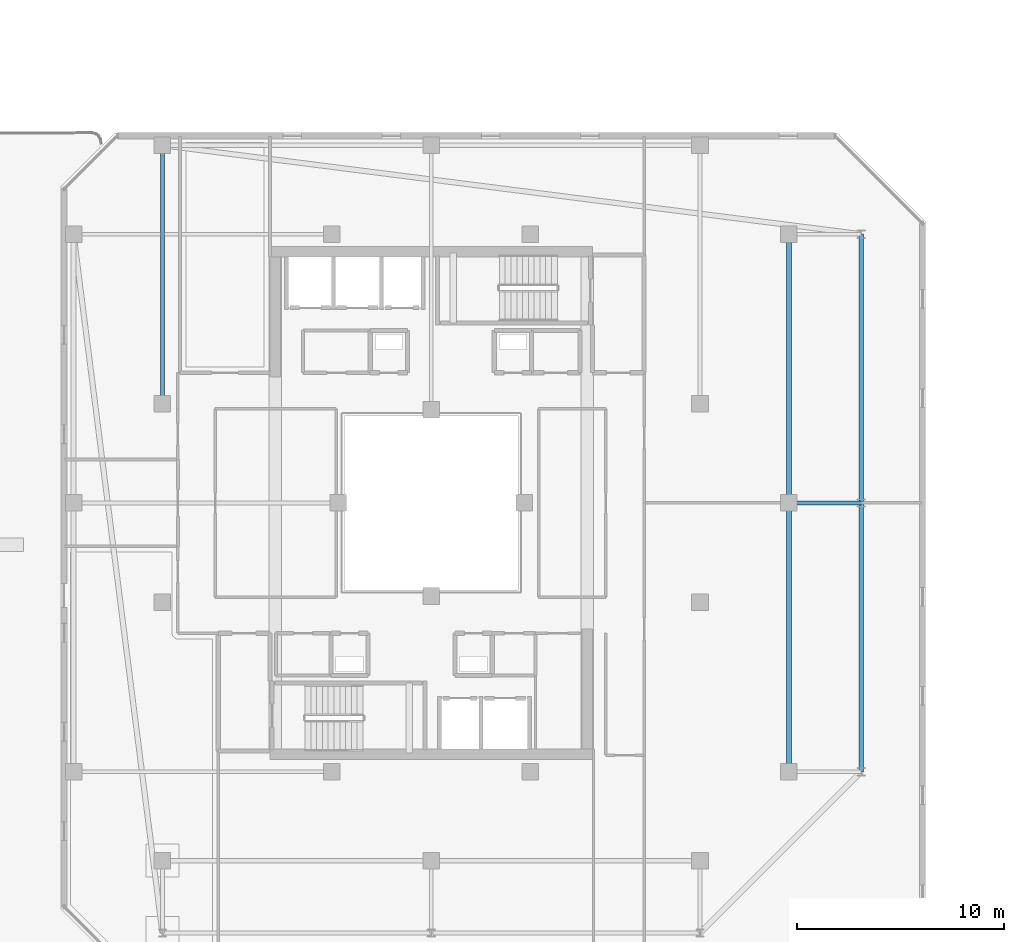
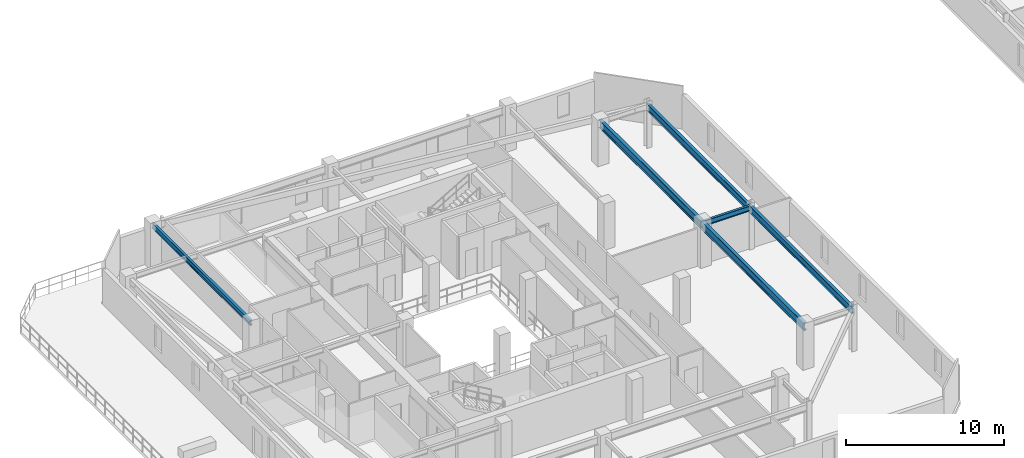
# One storey, part 6 of 31: 6 beams.
"""IFC4 building model written with IfcOpenShell, lengths in metres."""

from ifc_helpers import new_model, si_unit, direction, frame, origin, origin_2d, place, context, subcontext, project, spatial, i_section, extrude, material, material_profile, profile_set, type_object, element, save


model = new_model("IFC4")

# Units and contexts
model_context = context("Model", 3, precision=1e-05, world=origin(), true_north=direction((0.0, 1.0)))
body_context = subcontext(model_context, "Body", "Model", "MODEL_VIEW")
ifc_project = project(units=[si_unit("LENGTHUNIT", "METRE"), si_unit("AREAUNIT", "SQUARE_METRE"), si_unit("VOLUMEUNIT", "CUBIC_METRE"), si_unit("PLANEANGLEUNIT", "RADIAN"), si_unit("MASSUNIT", "GRAM", prefix="KILO")], contexts=[model_context])

# Site, building, storey
site_placement = place(None, origin())
site = spatial("IfcSite", under=ifc_project, at=site_placement, CompositionType="ELEMENT")
building_placement = place(site_placement, origin())
building = spatial("IfcBuilding", under=site, at=building_placement, Name="Thornwick Lancets Civic Towers", CompositionType="ELEMENT")
storey_placement = place(building_placement, frame((0.0, 0.0, 254.699951171875)))
storey = spatial("IfcBuildingStorey", under=building, at=storey_placement, Name="L68", CompositionType="ELEMENT", Elevation=254.699951171875)

# Beams
ifc_material = material(Name="Steel S355JR", Category="steel")
ifc_material_profile_1 = material_profile(ifc_material, i_section(OverallWidth=0.210693359375, OverallDepth=0.53955078125, WebThickness=0.01171875, FlangeThickness=0.018798828125, FilletRadius=0.0126953125, at=origin_2d()), Name="UKB 533x210x109")
ifc_profile_set_1 = profile_set([ifc_material_profile_1], Name="Steel S355JR")
beam_type_1 = type_object("IfcBeamType", Name="BM_EDGE_533_109", PredefinedType="SPANDREL", material=ifc_profile_set_1)
beam_1_placement = place(storey_placement, frame((46.300048828125, 14.0, 3.0703125), z_axis=(0.0, 1.0, 0.0), x_axis=(-1.0, 0.0, 0.0)))
element("IfcBeam", 1, at=beam_1_placement, inside=storey, type_object=beam_type_1, Name="BM-EDGE-L68-A-S1-1", PredefinedType="SPANDREL", context=body_context, shape_type="SweptSolid", body=[
    extrude(i_section(OverallWidth=0.210693359375, OverallDepth=0.53955078125, WebThickness=0.01171875, FlangeThickness=0.018798828125, FilletRadius=0.0126953125, at=origin_2d()), origin(), (0.0, 0.0, 1.0), 13.0),
])
beam_2_placement = place(storey_placement, frame((46.300048828125, 27.080078125, 3.0703125), z_axis=(0.0, 1.0, 0.0), x_axis=(-1.0, 0.0, 0.0)))
element("IfcBeam", 2, at=beam_2_placement, inside=storey, type_object=beam_type_1, Name="BM-EDGE-L68-A-S1-2", PredefinedType="SPANDREL", context=body_context, shape_type="SweptSolid", body=[
    extrude(i_section(OverallWidth=0.210693359375, OverallDepth=0.53955078125, WebThickness=0.01171875, FlangeThickness=0.018798828125, FilletRadius=0.0126953125, at=origin_2d()), origin(), (0.0, 0.0, 1.0), 12.919921875),
])
ifc_material_profile_2 = material_profile(ifc_material, i_section(OverallWidth=0.230224609375, OverallDepth=0.6171875, WebThickness=0.01318359375, FlangeThickness=0.022216796875, FilletRadius=0.0126953125, at=origin_2d()), Name="UKB 610x229x140")
ifc_profile_set_2 = profile_set([ifc_material_profile_2], Name="Steel S355JR")
beam_type_2 = type_object("IfcBeamType", Name="BM_GIRD_610_140", PredefinedType="BEAM", material=ifc_profile_set_2)
beam_3_placement = place(storey_placement, frame((42.800048828125, 14.0, 3.031494140625), z_axis=(0.0, 1.0, 0.0), x_axis=(-1.0, 0.0, 0.0)))
element("IfcBeam", 3, at=beam_3_placement, inside=storey, type_object=beam_type_2, Name="BM-SPINE-L68-A-3-4", PredefinedType="BEAM", context=body_context, shape_type="SweptSolid", body=[
    extrude(i_section(OverallWidth=0.230224609375, OverallDepth=0.6171875, WebThickness=0.01318359375, FlangeThickness=0.022216796875, FilletRadius=0.0126953125, at=origin_2d()), origin(), (0.0, 0.0, 1.0), 13.0),
])
beam_4_placement = place(storey_placement, frame((42.800048828125, 27.080078125, 3.031494140625), z_axis=(0.0, 1.0, 0.0), x_axis=(-1.0, 0.0, 0.0)))
element("IfcBeam", 4, at=beam_4_placement, inside=storey, type_object=beam_type_2, Name="BM-SPINE-L68-A-4-5", PredefinedType="BEAM", context=body_context, shape_type="SweptSolid", body=[
    extrude(i_section(OverallWidth=0.230224609375, OverallDepth=0.6171875, WebThickness=0.01318359375, FlangeThickness=0.022216796875, FilletRadius=0.0126953125, at=origin_2d()), origin(), (0.0, 0.0, 1.0), 12.919921875),
])
ifc_material_profile_3 = material_profile(ifc_material, i_section(OverallWidth=0.179443359375, OverallDepth=0.412841796875, WebThickness=0.009521484375, FlangeThickness=0.01611328125, FilletRadius=0.01025390625, at=origin_2d()), Name="UKB 406x178x74")
ifc_profile_set_3 = profile_set([ifc_material_profile_3], Name="Steel S355JR")
beam_type_3 = type_object("IfcBeamType", Name="BM_JOIST_406_74", PredefinedType="JOIST", material=ifc_profile_set_3)
beam_5_placement = place(storey_placement, frame((42.800048828125, 27.0, 3.133544921875), z_axis=(1.0, 0.0, 0.0), x_axis=(0.0, 1.0, 0.0)))
element("IfcBeam", 5, at=beam_5_placement, inside=storey, type_object=beam_type_3, Name="BM-RAD-L68-A05", PredefinedType="JOIST", context=body_context, shape_type="SweptSolid", body=[
    extrude(i_section(OverallWidth=0.179443359375, OverallDepth=0.412841796875, WebThickness=0.009521484375, FlangeThickness=0.01611328125, FilletRadius=0.01025390625, at=origin_2d()), origin(), (0.0, 0.0, 1.0), 3.5),
])
beam_6_placement = place(storey_placement, frame((12.5, 31.800048828125, 3.133544921875), z_axis=(0.0, 1.0, 0.0), x_axis=(-1.0, 0.0, 0.0)))
element("IfcBeam", 6, at=beam_6_placement, inside=storey, type_object=beam_type_3, Name="BM-RADIN-L68-A07", PredefinedType="JOIST", context=body_context, shape_type="SweptSolid", body=[
    extrude(i_section(OverallWidth=0.179443359375, OverallDepth=0.412841796875, WebThickness=0.009521484375, FlangeThickness=0.01611328125, FilletRadius=0.01025390625, at=origin_2d()), origin(), (0.0, 0.0, 1.0), 12.5),
])

save(model, "model.ifc")
